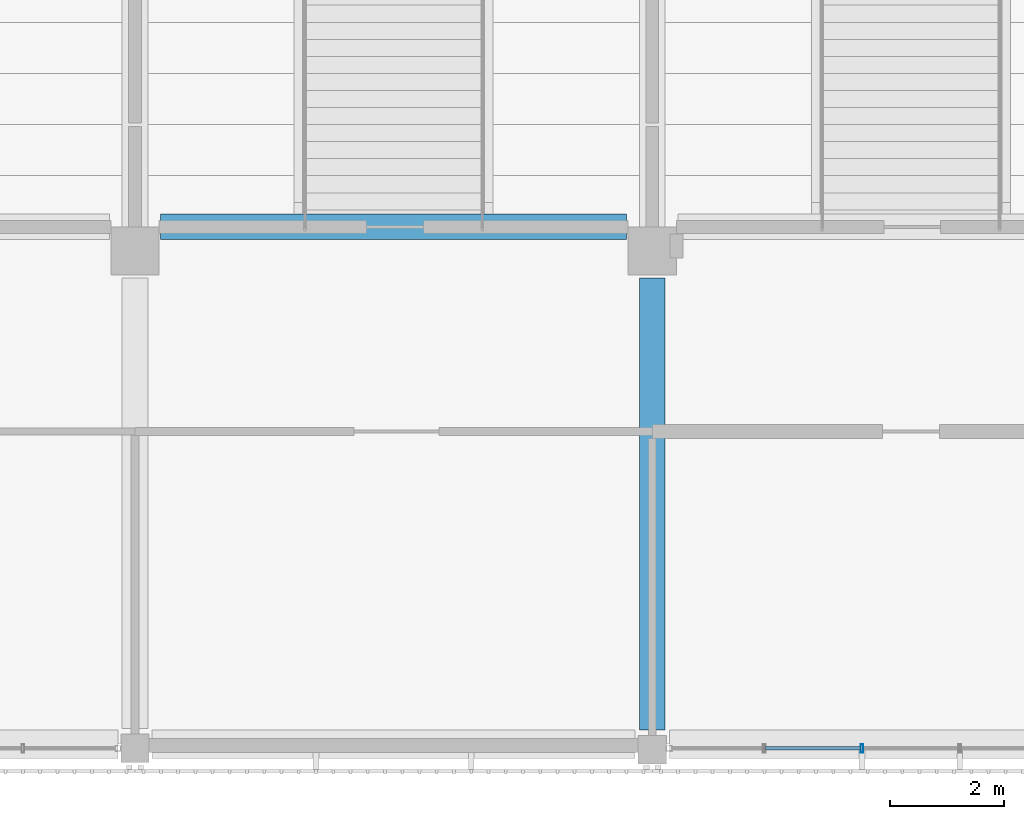
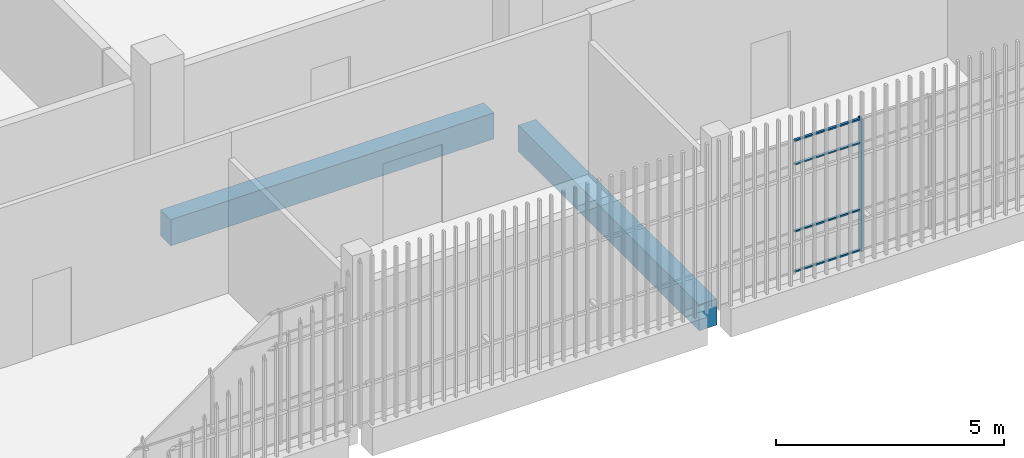
# One storey, part 26 of 139: 5 members, 2 beams, 1 element without a shape of its own.
"""IFC4 building model written with IfcOpenShell, lengths in metres."""

import ifcopenshell
import ifcopenshell.guid

model = None  # the IFC model being written
_history = None  # IfcOwnerHistory: only IFC2X3 demands one
_inside = {}  # id of a spatial element -> (the spatial element, [elements in it])
_under = {}  # id of a project, library or spatial element -> (it, [spatial elements below it])
_declared = {}  # id of a project -> (the project, [libraries it declares])
_typed = {}  # id of a type object -> (the type object, [elements of that type])
_made_of = {}  # id of a material, layer set ... -> (it, [elements and type objects made of it])


def new_model(schema):
    """Start an empty IFC model of exactly this schema.

    Asked for "IFC4X3", IfcOpenShell would pick the latest addendum, in which some entities
    have other attributes; the version numbers below select the first issue.
    IFC2X3 requires an IfcOwnerHistory on every rooted entity: one is made here for all.
    """
    global model, _history
    if schema == "IFC4X3":
        model = ifcopenshell.file(schema_version=(4, 3, 0, 0))
    else:
        model = ifcopenshell.file(schema=schema)
    _inside.clear()
    _under.clear()
    _declared.clear()
    _typed.clear()
    _made_of.clear()
    _history = None
    if model.schema == "IFC2X3":
        org = make("IfcOrganization", Name="unknown")
        user = make(
            "IfcPersonAndOrganization",
            ThePerson=make("IfcPerson", FamilyName="unknown"),
            TheOrganization=org,
        )
        app = make(
            "IfcApplication",
            ApplicationDeveloper=org,
            Version="unknown",
            ApplicationFullName="unknown",
            ApplicationIdentifier="unknown",
        )
        _history = make(
            "IfcOwnerHistory",
            OwningUser=user,
            OwningApplication=app,
            ChangeAction="ADDED",
            CreationDate=0,
        )
    return model


def make(cls, **values):
    """One entity of the class cls with the attributes given. An attribute that is None is left unset."""
    return model.create_entity(
        cls, **{name: value for name, value in values.items() if value is not None}
    )


def rooted(cls, **values):
    """An entity with a GlobalId (a new one), such as an element, a storey or a relation."""
    return make(cls, GlobalId=ifcopenshell.guid.new(), OwnerHistory=_history, **values)


def si_unit(unit_type, name, prefix=None):
    """IfcSIUnit, for example si_unit("LENGTHUNIT", "METRE", prefix="MILLI")."""
    return make("IfcSIUnit", UnitType=unit_type, Prefix=prefix, Name=name)


def assignment(units):
    """IfcUnitAssignment: the units of a project."""
    return None if units is None else make("IfcUnitAssignment", Units=units)


def point(xyz):
    """IfcCartesianPoint."""
    return None if xyz is None else make("IfcCartesianPoint", Coordinates=xyz)


def direction(xyz):
    """IfcDirection."""
    return None if xyz is None else make("IfcDirection", DirectionRatios=xyz)


def frame(location, z_axis=None, x_axis=None):
    """IfcAxis2Placement3D, a coordinate frame: its origin and axes. An axis left out is left unset."""
    return make(
        "IfcAxis2Placement3D",
        Location=point(location),
        Axis=direction(z_axis),
        RefDirection=direction(x_axis),
    )


def frame_2d(location, x_axis=None):
    """IfcAxis2Placement2D, a coordinate frame in the plane: its origin and x axis."""
    return make(
        "IfcAxis2Placement2D", Location=point(location), RefDirection=direction(x_axis)
    )


def origin():
    """The frame at (0, 0, 0) with its axes left unset."""
    return frame((0.0, 0.0, 0.0))


def origin_2d():
    """The frame at (0, 0) in the plane with its x axis left unset."""
    return frame_2d((0.0, 0.0))


def place(relative_to, where):
    """IfcLocalPlacement: puts the frame where relative to a parent placement (None: the world)."""
    return make(
        "IfcLocalPlacement", PlacementRelTo=relative_to, RelativePlacement=where
    )


def context(
    kind, dimensions, precision=None, world=None, true_north=None, identifier=None
):
    """IfcGeometricRepresentationContext, for example the 3D "Model" context."""
    return make(
        "IfcGeometricRepresentationContext",
        ContextIdentifier=identifier,
        ContextType=kind,
        CoordinateSpaceDimension=dimensions,
        Precision=precision,
        WorldCoordinateSystem=world,
        TrueNorth=true_north,
    )


def subcontext(parent, identifier, kind, view, scale=None):
    """IfcGeometricRepresentationSubContext, for example "Body" below "Model"."""
    return make(
        "IfcGeometricRepresentationSubContext",
        ContextIdentifier=identifier,
        ContextType=kind,
        ParentContext=parent,
        TargetScale=scale,
        TargetView=view,
    )


def project(units=None, contexts=None):
    """IfcProject with its units and contexts."""
    return rooted(
        "IfcProject",
        Name="project",
        RepresentationContexts=contexts,
        UnitsInContext=assignment(units),
    )


def spatial(cls, under=None, at=None, **own):
    """A site, building, storey or space (cls), placed at a placement, below another one or the project."""
    s = rooted(cls, ObjectPlacement=at, **own)
    if under is not None:
        _under.setdefault(under.id(), (under, []))[1].append(s)
    return s


def profile(cls, at=None, kind="AREA", **sizes):
    """A parametric profile (cls). Its sizes go by their IFC names, for example OverallWidth=200.0."""
    return make(cls, ProfileType=kind, Position=at, **sizes)


def rectangle(**sizes):
    """IfcRectangleProfileDef."""
    return profile("IfcRectangleProfileDef", **sizes)


def hollow_rectangle(**sizes):
    """IfcRectangleHollowProfileDef."""
    return profile("IfcRectangleHollowProfileDef", **sizes)


def extrude(swept, where, along, depth):
    """IfcExtrudedAreaSolid: the profile swept, set in the frame where, extruded along a direction by depth."""
    return make(
        "IfcExtrudedAreaSolid",
        SweptArea=swept,
        Position=where,
        ExtrudedDirection=direction(along),
        Depth=depth,
    )


def shape(context_of_items, identifier, shape_type, items):
    """IfcShapeRepresentation: the items that make up one representation, for example the "Body"."""
    return make(
        "IfcShapeRepresentation",
        ContextOfItems=context_of_items,
        RepresentationIdentifier=identifier,
        RepresentationType=shape_type,
        Items=items,
    )


def material(Name=None, Category=None):
    """IfcMaterial."""
    return make("IfcMaterial", Name=Name, Category=Category)


def layer(
    of_material, thickness, ventilated=None, Name=None, Category=None, Priority=None
):
    """IfcMaterialLayer: one layer of a wall or slab, of a material (None: an air gap)."""
    return make(
        "IfcMaterialLayer",
        Material=of_material,
        LayerThickness=thickness,
        IsVentilated=ventilated,
        Name=Name,
        Category=Category,
        Priority=Priority,
    )


def layer_set(layers, Name=None):
    """IfcMaterialLayerSet."""
    return make("IfcMaterialLayerSet", MaterialLayers=layers, LayerSetName=Name)


def material_profile(
    of_material, cross_section, Name=None, Category=None, Priority=None
):
    """IfcMaterialProfile: a cross section and its material."""
    return make(
        "IfcMaterialProfile",
        Name=Name,
        Material=of_material,
        Profile=cross_section,
        Priority=Priority,
        Category=Category,
    )


def profile_set(profiles, Name=None, composite=None):
    """IfcMaterialProfileSet."""
    return make(
        "IfcMaterialProfileSet",
        Name=Name,
        MaterialProfiles=profiles,
        CompositeProfile=composite,
    )


def made_of(thing, what):
    """Note that an element or type object is made of a material, layer set ...; save() writes the relation."""
    if what is not None:
        _made_of.setdefault(what.id(), (what, []))[1].append(thing)
    return thing


def type_object(cls, material=None, **own):
    """A type object (cls), such as IfcWallType, which elements share."""
    return made_of(rooted(cls, **own), material)


def element(
    cls,
    number,
    at=None,
    inside=None,
    cuts=None,
    type_object=None,
    material=None,
    context=None,
    identifier="Body",
    shape_type=None,
    held_by="IfcProductDefinitionShape",
    body=None,
    shapes=None,
    **own,
):
    """One element of the class cls, such as IfcWall. Its Tag is "e" and its number.

    at: its placement. inside: the storey or other place that contains it. cuts: it is an
    opening in that element (IfcRelVoidsElement). A single representation is given by context,
    identifier, shape_type and body (its items); several are given by shapes. held_by: the class
    of the entity that holds the representations. save() writes the other relations.
    """
    e = rooted(cls, Tag="e%d" % number, ObjectPlacement=at, **own)
    if body is not None:
        shapes = [shape(context, identifier, shape_type, body)]
    if shapes is not None:
        e.Representation = make(held_by, Representations=shapes)
    if inside is not None:
        _inside.setdefault(inside.id(), (inside, []))[1].append(e)
    if cuts is not None:
        rooted(
            "IfcRelVoidsElement", RelatingBuildingElement=cuts, RelatedOpeningElement=e
        )
    if type_object is not None:
        _typed.setdefault(type_object.id(), (type_object, []))[1].append(e)
    return made_of(e, material)


def aggregate(whole, parts):
    """IfcRelAggregates: a whole, such as a stair, and the parts it consists of."""
    return rooted("IfcRelAggregates", RelatingObject=whole, RelatedObjects=parts)


def save(model, path):
    """Write the relations noted so far, then the file.

    IfcRelAggregates (storeys below a building ...), IfcRelContainedInSpatialStructure (elements
    in a storey), IfcRelDefinesByType, IfcRelAssociatesMaterial and IfcRelDeclares: one each for
    every whole, place, type object, material and project.
    """
    for whole, parts in _under.values():
        aggregate(whole, parts)
    for where, things in _inside.values():
        rooted(
            "IfcRelContainedInSpatialStructure",
            RelatedElements=things,
            RelatingStructure=where,
        )
    for kind, things in _typed.values():
        rooted("IfcRelDefinesByType", RelatedObjects=things, RelatingType=kind)
    for what, things in _made_of.values():
        rooted("IfcRelAssociatesMaterial", RelatedObjects=things, RelatingMaterial=what)
    for by, libraries in _declared.values():
        rooted("IfcRelDeclares", RelatingContext=by, RelatedDefinitions=libraries)
    model.write(path)


model = new_model("IFC4")

# Units and contexts
model_context = context("Model", 3, precision=1e-05, world=origin(), true_north=direction((0.0, 1.0)))
body_context = subcontext(model_context, "Body", "Model", "MODEL_VIEW")
ifc_project = project(units=[si_unit("LENGTHUNIT", "METRE"), si_unit("AREAUNIT", "SQUARE_METRE"), si_unit("VOLUMEUNIT", "CUBIC_METRE"), si_unit("PLANEANGLEUNIT", "RADIAN"), si_unit("MASSUNIT", "GRAM", prefix="KILO")], contexts=[model_context])

# Site, building, storey
site_placement = place(None, origin())
site = spatial("IfcSite", under=ifc_project, at=site_placement, CompositionType="ELEMENT")
building_placement = place(site_placement, origin())
building = spatial("IfcBuilding", under=site, at=building_placement, Name="Shirokan Park Arena", CompositionType="ELEMENT")
storey_placement = place(building_placement, frame((0.0, 0.0, 15.469970703125)))
storey = spatial("IfcBuildingStorey", under=building, at=storey_placement, Name="L03", CompositionType="ELEMENT", Elevation=15.469970703125)

# Curtain wall, member
ifc_material_1 = material(Name="Steel and glass curtain wall", Category="steel")
ifc_layer = layer(ifc_material_1, 0.14990234375)
ifc_layer_set = layer_set([ifc_layer], Name="Steel and glass curtain wall 150 mm")
curtain_wall_type = type_object("IfcCurtainWallType", Name="Curtain wall exposed bay 150", PredefinedType="NOTDEFINED", material=ifc_layer_set)
curtain_wall_placement = place(storey_placement, origin())
curtain_wall = element("IfcCurtainWall", 1, at=curtain_wall_placement, inside=storey, type_object=curtain_wall_type, Name="Curtain wall south bay 11 L03", PredefinedType="NOTDEFINED")
ifc_material_2 = material(Name="Steel S355", Category="steel")
ifc_material_profile_1 = material_profile(ifc_material_2, hollow_rectangle(XDim=0.14990234375, YDim=0.050048828125, WallThickness=0.006103515625, at=origin_2d()), Name="RHS 150x50x6")
ifc_profile_set_1 = profile_set([ifc_material_profile_1], Name="Steel S355")
member_type_1 = type_object("IfcMemberType", Name="Mullion RHS 150x50x6", PredefinedType="MULLION", material=ifc_profile_set_1)
member_1_placement = place(storey_placement, frame((94.68994140625, -0.074951171875, 0.0), z_axis=(0.0, 0.0, 1.0), x_axis=(0.0, 1.0, 0.0)))
member_1 = element("IfcMember", 2, at=member_1_placement, type_object=member_type_1, Name="CW1 mullion 3", PredefinedType="MULLION", context=body_context, shape_type="SweptSolid", body=[
    extrude(hollow_rectangle(XDim=0.14990234375, YDim=0.050048828125, WallThickness=0.006103515625, at=origin_2d()), origin(), (0.0, 0.0, 1.0), 3.550048828125),
])

# Beams
ifc_material_3 = material(Name="Concrete C35", Category="concrete")
ifc_material_profile_2 = material_profile(ifc_material_3, rectangle(XDim=0.449951171875, YDim=0.699951171875, at=origin_2d()), Name="450x700")
ifc_profile_set_2 = profile_set([ifc_material_profile_2], Name="Concrete C35")
beam_type = type_object("IfcBeamType", Name="RC girder 450x700", PredefinedType="BEAM", material=ifc_profile_set_2)
beam_1_placement = place(storey_placement, frame((82.35009765625, 9.10009765625, -0.64990234375), z_axis=(1.0, 0.0, 0.0), x_axis=(0.0, 1.0, 0.0)))
element("IfcBeam", 3, at=beam_1_placement, inside=storey, type_object=beam_type, Name="Girder 10B-11B L03", PredefinedType="BEAM", context=body_context, shape_type="SweptSolid", body=[
    extrude(rectangle(XDim=0.449951171875, YDim=0.699951171875, at=origin_2d()), origin(), (0.0, 0.0, 1.0), 8.19970703125),
])
beam_2_placement = place(storey_placement, frame((91.0, 0.25, -0.64990234375), z_axis=(0.0, 1.0, 0.0), x_axis=(-1.0, 0.0, 0.0)))
element("IfcBeam", 4, at=beam_2_placement, inside=storey, type_object=beam_type, Name="Girder 11A-11B L03", PredefinedType="BEAM", context=body_context, shape_type="SweptSolid", body=[
    extrude(rectangle(XDim=0.449951171875, YDim=0.699951171875, at=origin_2d()), origin(), (0.0, 0.0, 1.0), 7.949951171875),
])

# Member
ifc_material_profile_3 = material_profile(ifc_material_2, hollow_rectangle(XDim=0.06005859375, YDim=0.0400390625, WallThickness=0.00390625, at=origin_2d()), Name="RHS 60x40x4")
ifc_profile_set_3 = profile_set([ifc_material_profile_3], Name="Steel S355")
member_type_2 = type_object("IfcMemberType", Name="Transom RHS 60x40x4", PredefinedType="MULLION", material=ifc_profile_set_3)
member_2_placement = place(storey_placement, frame((92.9951171875, -0.074951171875, 0.02001953125), z_axis=(1.0, 0.0, 0.0), x_axis=(0.0, 1.0, 0.0)))
member_2 = element("IfcMember", 5, at=member_2_placement, type_object=member_type_2, Name="CW1 transom 2.1", PredefinedType="MULLION", context=body_context, shape_type="SweptSolid", body=[
    extrude(hollow_rectangle(XDim=0.06005859375, YDim=0.0400390625, WallThickness=0.00390625, at=origin_2d()), origin(), (0.0, 0.0, 1.0), 1.669921875),
])

member_3_placement = place(storey_placement, frame((92.9951171875, -0.074951171875, 1.10009765625), z_axis=(1.0, 0.0, 0.0), x_axis=(0.0, 1.0, 0.0)))
member_3 = element("IfcMember", 6, at=member_3_placement, type_object=member_type_2, Name="CW1 transom 2.2", PredefinedType="MULLION", context=body_context, shape_type="SweptSolid", body=[
    extrude(hollow_rectangle(XDim=0.06005859375, YDim=0.0400390625, WallThickness=0.00390625, at=origin_2d()), origin(), (0.0, 0.0, 1.0), 1.669921875),
])

member_4_placement = place(storey_placement, frame((92.9951171875, -0.074951171875, 2.900146484375), z_axis=(1.0, 0.0, 0.0), x_axis=(0.0, 1.0, 0.0)))
member_4 = element("IfcMember", 7, at=member_4_placement, type_object=member_type_2, Name="CW1 transom 2.3", PredefinedType="MULLION", context=body_context, shape_type="SweptSolid", body=[
    extrude(hollow_rectangle(XDim=0.06005859375, YDim=0.0400390625, WallThickness=0.00390625, at=origin_2d()), origin(), (0.0, 0.0, 1.0), 1.669921875),
])

member_5_placement = place(storey_placement, frame((92.9951171875, -0.074951171875, 3.530029296875), z_axis=(1.0, 0.0, 0.0), x_axis=(0.0, 1.0, 0.0)))
member_5 = element("IfcMember", 8, at=member_5_placement, type_object=member_type_2, Name="CW1 transom 2.4", PredefinedType="MULLION", context=body_context, shape_type="SweptSolid", body=[
    extrude(hollow_rectangle(XDim=0.06005859375, YDim=0.0400390625, WallThickness=0.00390625, at=origin_2d()), origin(), (0.0, 0.0, 1.0), 1.669921875),
])

aggregate(curtain_wall, [member_1, member_2, member_3, member_4, member_5])

save(model, "model.ifc")
